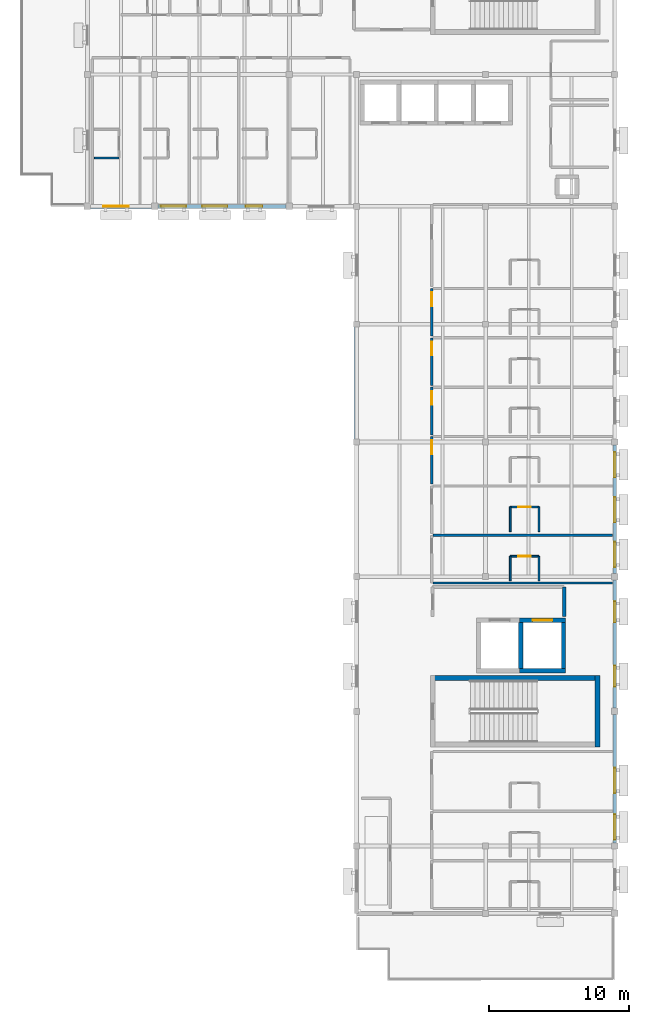
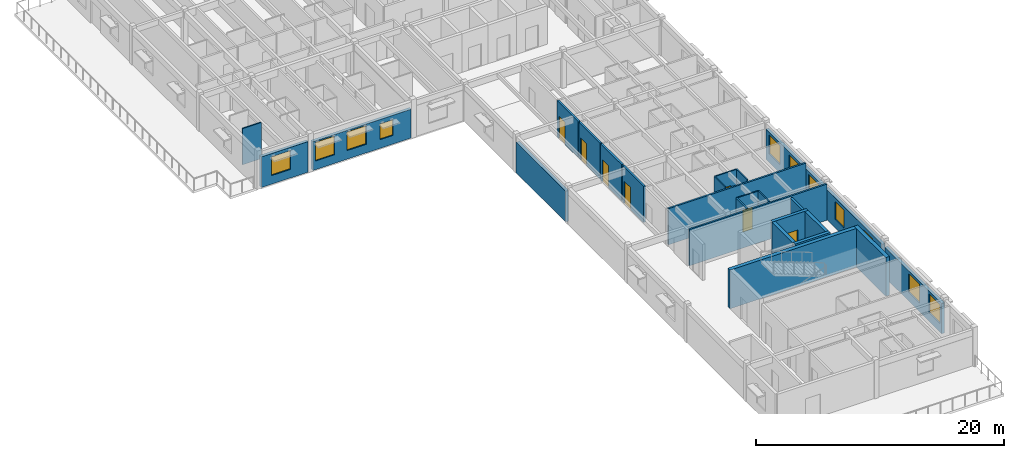
# One storey, part 6 of 15: 26 walls, 11 windows, 7 doors, 18 openings.
"""IFC4 building model written with IfcOpenShell, lengths in metres."""

from ifc_helpers import new_model, si_unit, direction, frame, frame_2d, origin, place, context, subcontext, project, spatial, rectangle, extrude, material, layer, layer_set, type_object, element, fill, save


model = new_model("IFC4")

# Units and contexts
model_context = context("Model", 3, precision=1e-05, world=origin(), true_north=direction((0.0, 1.0)))
body_context = subcontext(model_context, "Body", "Model", "MODEL_VIEW")
ifc_project = project(units=[si_unit("LENGTHUNIT", "METRE"), si_unit("AREAUNIT", "SQUARE_METRE"), si_unit("VOLUMEUNIT", "CUBIC_METRE"), si_unit("PLANEANGLEUNIT", "RADIAN"), si_unit("MASSUNIT", "GRAM", prefix="KILO")], contexts=[model_context])

# Site, building, storey
site_placement = place(None, origin())
site = spatial("IfcSite", under=ifc_project, at=site_placement, CompositionType="ELEMENT")
building_placement = place(site_placement, origin())
building = spatial("IfcBuilding", under=site, at=building_placement, Name="Veldera Park Congress Hotel", CompositionType="ELEMENT")
storey_placement = place(building_placement, frame((0.0, 0.0, 39.0)))
storey = spatial("IfcBuildingStorey", under=building, at=storey_placement, Name="L09", CompositionType="ELEMENT", Elevation=39.0)

# Wall, openings, windows
ifc_material_1 = material(Name="Cross-laminated timber CLT V2M1.1", Category="wood")
ifc_layer_1 = layer(ifc_material_1, 0.280029296875)
ifc_layer_set_1 = layer_set([ifc_layer_1], Name="Cross-laminated timber CLT V2M1.1")
wall_type_1 = type_object("IfcWallType", Name="EW-CLT280", PredefinedType="STANDARD", material=ifc_layer_set_1)
wall_1_placement = place(storey_placement, frame((84.0, -18.376953125, 0.0), z_axis=(0.0, 0.0, 1.0), x_axis=(0.0, 1.0, 0.0)))
wall_1 = element("IfcWall", 1, at=wall_1_placement, inside=storey, type_object=wall_type_1, Name="L09 Exterior Wall EW3-L09-0400", PredefinedType="STANDARD", context=body_context, shape_type="SweptSolid", body=[
    extrude(rectangle(XDim=9.154052734375, YDim=0.280029296875, at=frame_2d((4.5771484375, 0.0))), origin(), (0.0, 0.0, 1.0), 2.97998046875),
])
opening_1_placement = place(wall_1_placement, frame((0.223388671875, 0.0, 0.85009765625)))
opening_1 = element("IfcOpeningElement", 2, at=opening_1_placement, cuts=wall_1, Name="Opening WIN-1800", PredefinedType="OPENING", context=body_context, shape_type="SweptSolid", body=[
    extrude(rectangle(XDim=1.800048828125, YDim=1.85009765625, at=frame_2d((0.89990234375, 0.925048828125))), frame((0.0, 0.152099609375, 0.0), z_axis=(0.0, -1.0, 0.0), x_axis=(1.0, 0.0, 0.0)), (0.0, 0.0, 1.0), 0.303955078125),
])
opening_2_placement = place(wall_1_placement, frame((3.537109375, 0.0, 0.85009765625)))
opening_2 = element("IfcOpeningElement", 3, at=opening_2_placement, cuts=wall_1, Name="Opening WIN-1800", PredefinedType="OPENING", context=body_context, shape_type="SweptSolid", body=[
    extrude(rectangle(XDim=1.800048828125, YDim=1.85009765625, at=frame_2d((0.89990234375, 0.925048828125))), frame((0.0, 0.152099609375, 0.0), z_axis=(0.0, -1.0, 0.0), x_axis=(1.0, 0.0, 0.0)), (0.0, 0.0, 1.0), 0.303955078125),
])
ifc_material_2 = material(Name="Low-E Triple Insulating Glass Unit (SHGC 0.22)", Category="glass")
window_type_1 = type_object("IfcWindowType", Name="WIN-1800", PartitioningType="SINGLE_PANEL", PredefinedType="WINDOW", material=ifc_material_2)
window_1_placement = place(opening_1_placement, origin())
window_1 = element("IfcWindow", 4, at=window_1_placement, inside=storey, type_object=window_type_1, Name="L09 Window WIN-1800 563", OverallHeight=1.85009765625, OverallWidth=1.800048828125, PartitioningType="SINGLE_PANEL", PredefinedType="WINDOW", context=body_context, shape_type="SweptSolid", body=[
    extrude(rectangle(XDim=1.800048828125, YDim=1.85009765625, at=frame_2d((0.89990234375, 0.925048828125))), frame((0.0, 0.030029296875, 0.0), z_axis=(0.0, -1.0, 0.0), x_axis=(1.0, 0.0, 0.0)), (0.0, 0.0, 1.0), 0.06005859375),
])
fill(opening_1, window_1)
window_2_placement = place(opening_2_placement, origin())
window_2 = element("IfcWindow", 5, at=window_2_placement, inside=storey, type_object=window_type_1, Name="L09 Window WIN-1800 564", OverallHeight=1.85009765625, OverallWidth=1.800048828125, PartitioningType="SINGLE_PANEL", PredefinedType="WINDOW", context=body_context, shape_type="SweptSolid", body=[
    extrude(rectangle(XDim=1.800048828125, YDim=1.85009765625, at=frame_2d((0.89990234375, 0.925048828125))), frame((0.0, 0.030029296875, 0.0), z_axis=(0.0, -1.0, 0.0), x_axis=(1.0, 0.0, 0.0)), (0.0, 0.0, 1.0), 0.06005859375),
])
fill(opening_2, window_2)

wall_2_placement = place(storey_placement, frame((84.0, -8.777099609375, 0.0), z_axis=(0.0, 0.0, 1.0), x_axis=(0.0, 1.0, 0.0)))
wall_2 = element("IfcWall", 6, at=wall_2_placement, inside=storey, type_object=wall_type_1, Name="L09 Exterior Wall EW3-L09-0401", PredefinedType="STANDARD", context=body_context, shape_type="SweptSolid", body=[
    extrude(rectangle(XDim=9.154052734375, YDim=0.280029296875, at=frame_2d((4.5771484375, 0.0))), origin(), (0.0, 0.0, 1.0), 2.97998046875),
])
opening_3_placement = place(wall_2_placement, frame((1.53857421875, 0.0, 0.85009765625)))
opening_3 = element("IfcOpeningElement", 7, at=opening_3_placement, cuts=wall_2, Name="Opening WIN-1500", PredefinedType="OPENING", context=body_context, shape_type="SweptSolid", body=[
    extrude(rectangle(XDim=1.5, YDim=1.75, at=frame_2d((0.75, 0.875))), frame((0.0, 0.152099609375, 0.0), z_axis=(0.0, -1.0, 0.0), x_axis=(1.0, 0.0, 0.0)), (0.0, 0.0, 1.0), 0.303955078125),
])
opening_4_placement = place(wall_2_placement, frame((6.115478515625, 0.0, 0.85009765625)))
opening_4 = element("IfcOpeningElement", 8, at=opening_4_placement, cuts=wall_2, Name="Opening WIN-1500", PredefinedType="OPENING", context=body_context, shape_type="SweptSolid", body=[
    extrude(rectangle(XDim=1.5, YDim=1.75, at=frame_2d((0.75, 0.875))), frame((0.0, 0.152099609375, 0.0), z_axis=(0.0, -1.0, 0.0), x_axis=(1.0, 0.0, 0.0)), (0.0, 0.0, 1.0), 0.303955078125),
])
window_type_2 = type_object("IfcWindowType", Name="WIN-1500", PartitioningType="SINGLE_PANEL", PredefinedType="WINDOW", material=ifc_material_2)
window_3_placement = place(opening_3_placement, origin())
window_3 = element("IfcWindow", 9, at=window_3_placement, inside=storey, type_object=window_type_2, Name="L09 Window WIN-1500 310", OverallHeight=1.75, OverallWidth=1.5, PartitioningType="SINGLE_PANEL", PredefinedType="WINDOW", context=body_context, shape_type="SweptSolid", body=[
    extrude(rectangle(XDim=1.5, YDim=1.75, at=frame_2d((0.75, 0.875))), frame((0.0, 0.030029296875, 0.0), z_axis=(0.0, -1.0, 0.0), x_axis=(1.0, 0.0, 0.0)), (0.0, 0.0, 1.0), 0.06005859375),
])
fill(opening_3, window_3)
window_4_placement = place(opening_4_placement, origin())
window_4 = element("IfcWindow", 10, at=window_4_placement, inside=storey, type_object=window_type_2, Name="L09 Window WIN-1500 311", OverallHeight=1.75, OverallWidth=1.5, PartitioningType="SINGLE_PANEL", PredefinedType="WINDOW", context=body_context, shape_type="SweptSolid", body=[
    extrude(rectangle(XDim=1.5, YDim=1.75, at=frame_2d((0.75, 0.875))), frame((0.0, 0.030029296875, 0.0), z_axis=(0.0, -1.0, 0.0), x_axis=(1.0, 0.0, 0.0)), (0.0, 0.0, 1.0), 0.06005859375),
])
fill(opening_4, window_4)

wall_3_placement = place(storey_placement, frame((84.0, 0.822998046875, 0.0), z_axis=(0.0, 0.0, 1.0), x_axis=(0.0, 1.0, 0.0)))
wall_3 = element("IfcWall", 11, at=wall_3_placement, inside=storey, type_object=wall_type_1, Name="L09 Exterior Wall EW3-L09-0402", PredefinedType="STANDARD", context=body_context, shape_type="SweptSolid", body=[
    extrude(rectangle(XDim=9.154052734375, YDim=0.280029296875, at=frame_2d((4.5771484375, 0.0))), origin(), (0.0, 0.0, 1.0), 2.97998046875),
])
opening_5_placement = place(wall_3_placement, frame((0.46337890625, 0.0, 0.85009765625)))
opening_5 = element("IfcOpeningElement", 12, at=opening_5_placement, cuts=wall_3, Name="Opening WIN-1800", PredefinedType="OPENING", context=body_context, shape_type="SweptSolid", body=[
    extrude(rectangle(XDim=1.800048828125, YDim=1.85009765625, at=frame_2d((0.89990234375, 0.925048828125))), frame((0.0, 0.152099609375, 0.0), z_axis=(0.0, -1.0, 0.0), x_axis=(1.0, 0.0, 0.0)), (0.0, 0.0, 1.0), 0.303955078125),
])
opening_6_placement = place(wall_3_placement, frame((3.64697265625, 0.0, 0.85009765625)))
opening_6 = element("IfcOpeningElement", 13, at=opening_6_placement, cuts=wall_3, Name="Opening WIN-1800", PredefinedType="OPENING", context=body_context, shape_type="SweptSolid", body=[
    extrude(rectangle(XDim=1.800048828125, YDim=1.85009765625, at=frame_2d((0.89990234375, 0.925048828125))), frame((0.0, 0.152099609375, 0.0), z_axis=(0.0, -1.0, 0.0), x_axis=(1.0, 0.0, 0.0)), (0.0, 0.0, 1.0), 0.303955078125),
])
opening_7_placement = place(wall_3_placement, frame((6.860595703125, 0.0, 0.85009765625)))
opening_7 = element("IfcOpeningElement", 14, at=opening_7_placement, cuts=wall_3, Name="Opening WIN-1800", PredefinedType="OPENING", context=body_context, shape_type="SweptSolid", body=[
    extrude(rectangle(XDim=1.800048828125, YDim=1.85009765625, at=frame_2d((0.89990234375, 0.925048828125))), frame((0.0, 0.152099609375, 0.0), z_axis=(0.0, -1.0, 0.0), x_axis=(1.0, 0.0, 0.0)), (0.0, 0.0, 1.0), 0.303955078125),
])
window_5_placement = place(opening_5_placement, origin())
window_5 = element("IfcWindow", 15, at=window_5_placement, inside=storey, type_object=window_type_1, Name="L09 Window WIN-1800 565", OverallHeight=1.85009765625, OverallWidth=1.800048828125, PartitioningType="SINGLE_PANEL", PredefinedType="WINDOW", context=body_context, shape_type="SweptSolid", body=[
    extrude(rectangle(XDim=1.800048828125, YDim=1.85009765625, at=frame_2d((0.89990234375, 0.925048828125))), frame((0.0, 0.030029296875, 0.0), z_axis=(0.0, -1.0, 0.0), x_axis=(1.0, 0.0, 0.0)), (0.0, 0.0, 1.0), 0.06005859375),
])
fill(opening_5, window_5)
window_6_placement = place(opening_6_placement, origin())
window_6 = element("IfcWindow", 16, at=window_6_placement, inside=storey, type_object=window_type_1, Name="L09 Window WIN-1800 566", OverallHeight=1.85009765625, OverallWidth=1.800048828125, PartitioningType="SINGLE_PANEL", PredefinedType="WINDOW", context=body_context, shape_type="SweptSolid", body=[
    extrude(rectangle(XDim=1.800048828125, YDim=1.85009765625, at=frame_2d((0.89990234375, 0.925048828125))), frame((0.0, 0.030029296875, 0.0), z_axis=(0.0, -1.0, 0.0), x_axis=(1.0, 0.0, 0.0)), (0.0, 0.0, 1.0), 0.06005859375),
])
fill(opening_6, window_6)
window_7_placement = place(opening_7_placement, origin())
window_7 = element("IfcWindow", 17, at=window_7_placement, inside=storey, type_object=window_type_1, Name="L09 Window WIN-1800 567", OverallHeight=1.85009765625, OverallWidth=1.800048828125, PartitioningType="SINGLE_PANEL", PredefinedType="WINDOW", context=body_context, shape_type="SweptSolid", body=[
    extrude(rectangle(XDim=1.800048828125, YDim=1.85009765625, at=frame_2d((0.89990234375, 0.925048828125))), frame((0.0, 0.030029296875, 0.0), z_axis=(0.0, -1.0, 0.0), x_axis=(1.0, 0.0, 0.0)), (0.0, 0.0, 1.0), 0.06005859375),
])
fill(opening_7, window_7)

# Wall, opening, window
wall_4_placement = place(storey_placement, frame((46.623046875, 27.0, 0.0), z_axis=(0.0, 0.0, 1.0), x_axis=(1.0, 0.0, 0.0)))
wall_4 = element("IfcWall", 18, at=wall_4_placement, inside=storey, type_object=wall_type_1, Name="L09 Exterior Wall EW3-L09-0414", PredefinedType="STANDARD", context=body_context, shape_type="SweptSolid", body=[
    extrude(rectangle(XDim=4.35400390625, YDim=0.280029296875, at=frame_2d((2.177001953125, 0.0))), origin(), (0.0, 0.0, 1.0), 3.02001953125),
])
opening_8_placement = place(wall_4_placement, frame((0.927001953125, 0.0, 0.85009765625)))
opening_8 = element("IfcOpeningElement", 19, at=opening_8_placement, cuts=wall_4, Name="Opening WIN-1800", PredefinedType="OPENING", context=body_context, shape_type="SweptSolid", body=[
    extrude(rectangle(XDim=1.800048828125, YDim=1.85009765625, at=frame_2d((0.89990234375, 0.925048828125))), frame((0.0, 0.152099609375, 0.0), z_axis=(0.0, -1.0, 0.0), x_axis=(1.0, 0.0, 0.0)), (0.0, 0.0, 1.0), 0.303955078125),
])
window_8_placement = place(opening_8_placement, origin())
window_8 = element("IfcWindow", 20, at=window_8_placement, inside=storey, type_object=window_type_1, Name="L09 Window WIN-1800 571", OverallHeight=1.85009765625, OverallWidth=1.800048828125, PartitioningType="SINGLE_PANEL", PredefinedType="WINDOW", context=body_context, shape_type="SweptSolid", body=[
    extrude(rectangle(XDim=1.800048828125, YDim=1.85009765625, at=frame_2d((0.89990234375, 0.925048828125))), frame((0.0, 0.030029296875, 0.0), z_axis=(0.0, -1.0, 0.0), x_axis=(1.0, 0.0, 0.0)), (0.0, 0.0, 1.0), 0.06005859375),
])
fill(opening_8, window_8)

# Wall, openings, windows
wall_5_placement = place(storey_placement, frame((51.423095703125, 27.0, 0.0), z_axis=(0.0, 0.0, 1.0), x_axis=(1.0, 0.0, 0.0)))
wall_5 = element("IfcWall", 21, at=wall_5_placement, inside=storey, type_object=wall_type_1, Name="L09 Exterior Wall EW3-L09-0415", PredefinedType="STANDARD", context=body_context, shape_type="SweptSolid", body=[
    extrude(rectangle(XDim=9.15380859375, YDim=0.280029296875, at=frame_2d((4.576904296875, 0.0))), origin(), (0.0, 0.0, 1.0), 2.840087890625),
])
opening_9_placement = place(wall_5_placement, frame((6.265380859375, 0.0, 0.85009765625)))
opening_9 = element("IfcOpeningElement", 22, at=opening_9_placement, cuts=wall_5, Name="Opening WIN-1200", PredefinedType="OPENING", context=body_context, shape_type="SweptSolid", body=[
    extrude(rectangle(XDim=1.199951171875, YDim=1.550048828125, at=frame_2d((0.60009765625, 0.77490234375))), frame((0.0, 0.152099609375, 0.0), z_axis=(0.0, -1.0, 0.0), x_axis=(1.0, 0.0, 0.0)), (0.0, 0.0, 1.0), 0.303955078125),
])
opening_10_placement = place(wall_5_placement, frame((0.223388671875, 0.0, 0.85009765625)))
opening_10 = element("IfcOpeningElement", 23, at=opening_10_placement, cuts=wall_5, Name="Opening WIN-1800", PredefinedType="OPENING", context=body_context, shape_type="SweptSolid", body=[
    extrude(rectangle(XDim=1.800048828125, YDim=1.85009765625, at=frame_2d((0.89990234375, 0.925048828125))), frame((0.0, 0.152099609375, 0.0), z_axis=(0.0, -1.0, 0.0), x_axis=(1.0, 0.0, 0.0)), (0.0, 0.0, 1.0), 0.303955078125),
])
opening_11_placement = place(wall_5_placement, frame((3.1669921875, 0.0, 0.85009765625)))
opening_11 = element("IfcOpeningElement", 24, at=opening_11_placement, cuts=wall_5, Name="Opening WIN-1800", PredefinedType="OPENING", context=body_context, shape_type="SweptSolid", body=[
    extrude(rectangle(XDim=1.800048828125, YDim=1.85009765625, at=frame_2d((0.89990234375, 0.925048828125))), frame((0.0, 0.152099609375, 0.0), z_axis=(0.0, -1.0, 0.0), x_axis=(1.0, 0.0, 0.0)), (0.0, 0.0, 1.0), 0.303955078125),
])
window_type_3 = type_object("IfcWindowType", Name="WIN-1200", PartitioningType="SINGLE_PANEL", PredefinedType="WINDOW", material=ifc_material_2)
window_9_placement = place(opening_9_placement, origin())
window_9 = element("IfcWindow", 25, at=window_9_placement, inside=storey, type_object=window_type_3, Name="L09 Window WIN-1200 321", OverallHeight=1.550048828125, OverallWidth=1.199951171875, PartitioningType="SINGLE_PANEL", PredefinedType="WINDOW", context=body_context, shape_type="SweptSolid", body=[
    extrude(rectangle(XDim=1.199951171875, YDim=1.550048828125, at=frame_2d((0.60009765625, 0.77490234375))), frame((0.0, 0.030029296875, 0.0), z_axis=(0.0, -1.0, 0.0), x_axis=(1.0, 0.0, 0.0)), (0.0, 0.0, 1.0), 0.06005859375),
])
fill(opening_9, window_9)
window_10_placement = place(opening_10_placement, origin())
window_10 = element("IfcWindow", 26, at=window_10_placement, inside=storey, type_object=window_type_1, Name="L09 Window WIN-1800 572", OverallHeight=1.85009765625, OverallWidth=1.800048828125, PartitioningType="SINGLE_PANEL", PredefinedType="WINDOW", context=body_context, shape_type="SweptSolid", body=[
    extrude(rectangle(XDim=1.800048828125, YDim=1.85009765625, at=frame_2d((0.89990234375, 0.925048828125))), frame((0.0, 0.030029296875, 0.0), z_axis=(0.0, -1.0, 0.0), x_axis=(1.0, 0.0, 0.0)), (0.0, 0.0, 1.0), 0.06005859375),
])
fill(opening_10, window_10)
window_11_placement = place(opening_11_placement, origin())
window_11 = element("IfcWindow", 27, at=window_11_placement, inside=storey, type_object=window_type_1, Name="L09 Window WIN-1800 573", OverallHeight=1.85009765625, OverallWidth=1.800048828125, PartitioningType="SINGLE_PANEL", PredefinedType="WINDOW", context=body_context, shape_type="SweptSolid", body=[
    extrude(rectangle(XDim=1.800048828125, YDim=1.85009765625, at=frame_2d((0.89990234375, 0.925048828125))), frame((0.0, 0.030029296875, 0.0), z_axis=(0.0, -1.0, 0.0), x_axis=(1.0, 0.0, 0.0)), (0.0, 0.0, 1.0), 0.06005859375),
])
fill(opening_11, window_11)

# Walls
wall_6_placement = place(storey_placement, frame((65.60009765625, 18.39208984375, 0.0), z_axis=(0.0, 0.0, 1.0), x_axis=(0.0, -1.0, 0.0)))
element("IfcWall", 28, at=wall_6_placement, inside=storey, type_object=wall_type_1, Name="L09 Exterior Wall EW3-L09-0418", PredefinedType="STANDARD", context=body_context, shape_type="SweptSolid", body=[
    extrude(rectangle(XDim=7.984130859375, YDim=0.280029296875, at=frame_2d((3.9921875, 0.0))), origin(), (0.0, 0.0, 1.0), 3.02001953125),
])
ifc_material_3 = material(Name="Fire-Rated Gypsum Board on Cold-Formed Steel Studs", Category="steel")
ifc_layer_2 = layer(ifc_material_3, 0.1201171875)
ifc_layer_set_2 = layer_set([ifc_layer_2], Name="Fire-Rated Gypsum Board on Cold-Formed Steel Studs")
wall_type_2 = type_object("IfcWallType", Name="IW-BATH120", PredefinedType="PARTITIONING", material=ifc_layer_set_2)
for number, where, z_axis, x_axis, name in (
    (29, (76.550048828125, 0.300048828125, 0.0), (0.0, 0.0, 1.0), (0.0, 1.0, 0.0), "L09 Partition Wall IW3-L09-01601"),
    (30, (78.60009765625, 0.300048828125, 0.0), (0.0, 0.0, 1.0), (0.0, 1.0, 0.0), "L09 Partition Wall IW3-L09-01602"),
):
    element("IfcWall", number, at=place(storey_placement, frame(where, z_axis=z_axis, x_axis=x_axis)), inside=storey, type_object=wall_type_2, Name=name, PredefinedType="PARTITIONING", context=body_context, shape_type="SweptSolid", body=[
        extrude(rectangle(XDim=1.75, YDim=0.1201171875, at=frame_2d((0.875, 0.0))), origin(), (0.0, 0.0, 1.0), 3.56494140625),
    ])

# Wall, opening, door
wall_7_placement = place(storey_placement, frame((76.550048828125, 2.050048828125, 0.0), z_axis=(0.0, 0.0, 1.0), x_axis=(1.0, 0.0, 0.0)))
wall_7 = element("IfcWall", 31, at=wall_7_placement, inside=storey, type_object=wall_type_2, Name="L09 Partition Wall IW3-L09-01603", PredefinedType="PARTITIONING", context=body_context, shape_type="SweptSolid", body=[
    extrude(rectangle(XDim=2.050048828125, YDim=0.1201171875, at=frame_2d((1.02490234375, 0.0))), origin(), (0.0, 0.0, 1.0), 3.56494140625),
])
opening_12_placement = place(wall_7_placement, frame((0.574951171875, 0.0, 0.0)))
opening_12 = element("IfcOpeningElement", 32, at=opening_12_placement, cuts=wall_7, Name="Opening ID-BATH090", PredefinedType="OPENING", context=body_context, shape_type="SweptSolid", body=[
    extrude(rectangle(XDim=0.89990234375, YDim=2.14990234375, at=frame_2d((0.449951171875, 1.074951171875))), frame((0.0, 0.072021484375, 0.0), z_axis=(0.0, -1.0, 0.0), x_axis=(1.0, 0.0, 0.0)), (0.0, 0.0, 1.0), 0.14404296875),
])
ifc_material_4 = material(Name="Solid Core White Oak Architectural Door", Category="wood")
door_type_1 = type_object("IfcDoorType", Name="ID-BATH090", OperationType="NOTDEFINED", PredefinedType="DOOR", material=ifc_material_4)
door_1_placement = place(opening_12_placement, origin())
door_1 = element("IfcDoor", 33, at=door_1_placement, inside=storey, type_object=door_type_1, Name="L09 En-suite 260 Door ID3-L09-0659 (DR3-ID3-L09-0659)", OperationType="SINGLE_SWING_LEFT", OverallHeight=2.14990234375, OverallWidth=0.89990234375, PredefinedType="DOOR", context=body_context, shape_type="SweptSolid", body=[
    extrude(rectangle(XDim=0.89990234375, YDim=2.14990234375, at=frame_2d((0.449951171875, 1.074951171875))), frame((0.0, 0.02490234375, 0.0), z_axis=(0.0, -1.0, 0.0), x_axis=(1.0, 0.0, 0.0)), (0.0, 0.0, 1.0), 0.050048828125),
])
fill(opening_12, door_1)

# Walls
for number, where, z_axis, x_axis, name in (
    (34, (76.550048828125, 3.820068359375, 0.0), (0.0, 0.0, 1.0), (0.0, 1.0, 0.0), "L09 Partition Wall IW3-L09-01606"),
    (35, (78.60009765625, 3.820068359375, 0.0), (0.0, 0.0, 1.0), (0.0, 1.0, 0.0), "L09 Partition Wall IW3-L09-01607"),
):
    element("IfcWall", number, at=place(storey_placement, frame(where, z_axis=z_axis, x_axis=x_axis)), inside=storey, type_object=wall_type_2, Name=name, PredefinedType="PARTITIONING", context=body_context, shape_type="SweptSolid", body=[
        extrude(rectangle(XDim=1.75, YDim=0.1201171875, at=frame_2d((0.875, 0.0))), origin(), (0.0, 0.0, 1.0), 3.56494140625),
    ])

# Wall, opening, door
wall_8_placement = place(storey_placement, frame((76.550048828125, 5.570068359375, 0.0), z_axis=(0.0, 0.0, 1.0), x_axis=(1.0, 0.0, 0.0)))
wall_8 = element("IfcWall", 36, at=wall_8_placement, inside=storey, type_object=wall_type_2, Name="L09 Partition Wall IW3-L09-01608", PredefinedType="PARTITIONING", context=body_context, shape_type="SweptSolid", body=[
    extrude(rectangle(XDim=2.050048828125, YDim=0.1201171875, at=frame_2d((1.02490234375, 0.0))), origin(), (0.0, 0.0, 1.0), 3.56494140625),
])
opening_13_placement = place(wall_8_placement, frame((0.574951171875, 0.0, 0.0)))
opening_13 = element("IfcOpeningElement", 37, at=opening_13_placement, cuts=wall_8, Name="Opening ID-BATH090", PredefinedType="OPENING", context=body_context, shape_type="SweptSolid", body=[
    extrude(rectangle(XDim=0.89990234375, YDim=2.14990234375, at=frame_2d((0.449951171875, 1.074951171875))), frame((0.0, 0.072021484375, 0.0), z_axis=(0.0, -1.0, 0.0), x_axis=(1.0, 0.0, 0.0)), (0.0, 0.0, 1.0), 0.14404296875),
])
door_2_placement = place(opening_13_placement, origin())
door_2 = element("IfcDoor", 38, at=door_2_placement, inside=storey, type_object=door_type_1, Name="L09 En-suite 261 Door ID3-L09-0661 (DR3-ID3-L09-0661)", OperationType="SINGLE_SWING_LEFT", OverallHeight=2.14990234375, OverallWidth=0.89990234375, PredefinedType="DOOR", context=body_context, shape_type="SweptSolid", body=[
    extrude(rectangle(XDim=0.89990234375, YDim=2.14990234375, at=frame_2d((0.449951171875, 1.074951171875))), frame((0.0, 0.02490234375, 0.0), z_axis=(0.0, -1.0, 0.0), x_axis=(1.0, 0.0, 0.0)), (0.0, 0.0, 1.0), 0.050048828125),
])
fill(opening_13, door_2)

# Wall
wall_9_placement = place(storey_placement, frame((46.89990234375, 30.449951171875, 0.0), z_axis=(0.0, 0.0, 1.0), x_axis=(1.0, 0.0, 0.0)))
element("IfcWall", 39, at=wall_9_placement, inside=storey, type_object=wall_type_2, Name="L09 Partition Wall IW3-L09-01639", PredefinedType="PARTITIONING", context=body_context, shape_type="SweptSolid", body=[
    extrude(rectangle(XDim=1.75, YDim=0.1201171875, at=frame_2d((0.875, 0.0))), origin(), (0.0, 0.0, 1.0), 3.56494140625),
])

# Wall, opening, door
ifc_layer_3 = layer(ifc_material_3, 0.179931640625)
ifc_layer_set_3 = layer_set([ifc_layer_3], Name="Fire-Rated Gypsum Board on Cold-Formed Steel Studs")
wall_type_3 = type_object("IfcWallType", Name="IW-CORR180", PredefinedType="PARTITIONING", material=ifc_layer_set_3)
wall_10_placement = place(storey_placement, frame((70.949951171875, 10.590087890625, 0.0), z_axis=(0.0, 0.0, 1.0), x_axis=(0.0, -1.0, 0.0)))
wall_10 = element("IfcWall", 40, at=wall_10_placement, inside=storey, type_object=wall_type_3, Name="L09 Corridor Wall IW3-L09-01609", PredefinedType="PARTITIONING", context=body_context, shape_type="SweptSolid", body=[
    extrude(rectangle(XDim=3.400146484375, YDim=0.179931640625, at=frame_2d((1.7001953125, 0.0))), origin(), (0.0, 0.0, 1.0), 3.56494140625),
])
opening_14_placement = place(wall_10_placement, frame((0.280029296875, 0.0, 0.0)))
opening_14 = element("IfcOpeningElement", 41, at=opening_14_placement, cuts=wall_10, Name="Opening ID-UNIT098", PredefinedType="OPENING", context=body_context, shape_type="SweptSolid", body=[
    extrude(rectangle(XDim=0.97998046875, YDim=2.179931640625, at=frame_2d((0.489990234375, 1.08984375))), frame((0.0, 0.10205078125, 0.0), z_axis=(0.0, -1.0, 0.0), x_axis=(1.0, 0.0, 0.0)), (0.0, 0.0, 1.0), 0.203857421875),
])
door_type_2 = type_object("IfcDoorType", Name="ID-UNIT098", OperationType="NOTDEFINED", PredefinedType="DOOR", material=ifc_material_4)
door_3_placement = place(opening_14_placement, origin())
door_3 = element("IfcDoor", 42, at=door_3_placement, inside=storey, type_object=door_type_2, Name="L09 Guestroom 262 Entry Door (DR3-UD3-L09-262)", OperationType="SINGLE_SWING_RIGHT", OverallHeight=2.179931640625, OverallWidth=0.97998046875, PredefinedType="DOOR", context=body_context, shape_type="SweptSolid", body=[
    extrude(rectangle(XDim=0.97998046875, YDim=2.179931640625, at=frame_2d((0.489990234375, 1.08984375))), frame((0.0, 0.02490234375, 0.0), z_axis=(0.0, -1.0, 0.0), x_axis=(1.0, 0.0, 0.0)), (0.0, 0.0, 1.0), 0.050048828125),
])
fill(opening_14, door_3)

wall_11_placement = place(storey_placement, frame((70.949951171875, 14.110107421875, 0.0), z_axis=(0.0, 0.0, 1.0), x_axis=(0.0, -1.0, 0.0)))
wall_11 = element("IfcWall", 43, at=wall_11_placement, inside=storey, type_object=wall_type_3, Name="L09 Corridor Wall IW3-L09-01614", PredefinedType="PARTITIONING", context=body_context, shape_type="SweptSolid", body=[
    extrude(rectangle(XDim=3.400146484375, YDim=0.179931640625, at=frame_2d((1.7001953125, 0.0))), origin(), (0.0, 0.0, 1.0), 3.56494140625),
])
opening_15_placement = place(wall_11_placement, frame((0.280029296875, 0.0, 0.0)))
opening_15 = element("IfcOpeningElement", 44, at=opening_15_placement, cuts=wall_11, Name="Opening ID-UNIT098", PredefinedType="OPENING", context=body_context, shape_type="SweptSolid", body=[
    extrude(rectangle(XDim=0.97998046875, YDim=2.179931640625, at=frame_2d((0.489990234375, 1.08984375))), frame((0.0, 0.10205078125, 0.0), z_axis=(0.0, -1.0, 0.0), x_axis=(1.0, 0.0, 0.0)), (0.0, 0.0, 1.0), 0.203857421875),
])
door_4_placement = place(opening_15_placement, origin())
door_4 = element("IfcDoor", 45, at=door_4_placement, inside=storey, type_object=door_type_2, Name="L09 Guestroom 263 Entry Door (DR3-UD3-L09-263)", OperationType="SINGLE_SWING_RIGHT", OverallHeight=2.179931640625, OverallWidth=0.97998046875, PredefinedType="DOOR", context=body_context, shape_type="SweptSolid", body=[
    extrude(rectangle(XDim=0.97998046875, YDim=2.179931640625, at=frame_2d((0.489990234375, 1.08984375))), frame((0.0, 0.02490234375, 0.0), z_axis=(0.0, -1.0, 0.0), x_axis=(1.0, 0.0, 0.0)), (0.0, 0.0, 1.0), 0.050048828125),
])
fill(opening_15, door_4)

wall_12_placement = place(storey_placement, frame((70.949951171875, 17.6298828125, 0.0), z_axis=(0.0, 0.0, 1.0), x_axis=(0.0, -1.0, 0.0)))
wall_12 = element("IfcWall", 46, at=wall_12_placement, inside=storey, type_object=wall_type_3, Name="L09 Corridor Wall IW3-L09-01619", PredefinedType="PARTITIONING", context=body_context, shape_type="SweptSolid", body=[
    extrude(rectangle(XDim=3.39990234375, YDim=0.179931640625, at=frame_2d((1.699951171875, 0.0))), origin(), (0.0, 0.0, 1.0), 3.56494140625),
])
opening_16_placement = place(wall_12_placement, frame((0.280029296875, 0.0, 0.0)))
opening_16 = element("IfcOpeningElement", 47, at=opening_16_placement, cuts=wall_12, Name="Opening ID-UNIT098", PredefinedType="OPENING", context=body_context, shape_type="SweptSolid", body=[
    extrude(rectangle(XDim=0.97998046875, YDim=2.179931640625, at=frame_2d((0.489990234375, 1.08984375))), frame((0.0, 0.10205078125, 0.0), z_axis=(0.0, -1.0, 0.0), x_axis=(1.0, 0.0, 0.0)), (0.0, 0.0, 1.0), 0.203857421875),
])
door_5_placement = place(opening_16_placement, origin())
door_5 = element("IfcDoor", 48, at=door_5_placement, inside=storey, type_object=door_type_2, Name="L09 Guestroom 264 Entry Door (DR3-UD3-L09-264)", OperationType="SINGLE_SWING_RIGHT", OverallHeight=2.179931640625, OverallWidth=0.97998046875, PredefinedType="DOOR", context=body_context, shape_type="SweptSolid", body=[
    extrude(rectangle(XDim=0.97998046875, YDim=2.179931640625, at=frame_2d((0.489990234375, 1.08984375))), frame((0.0, 0.02490234375, 0.0), z_axis=(0.0, -1.0, 0.0), x_axis=(1.0, 0.0, 0.0)), (0.0, 0.0, 1.0), 0.050048828125),
])
fill(opening_16, door_5)

wall_13_placement = place(storey_placement, frame((70.949951171875, 21.14990234375, 0.0), z_axis=(0.0, 0.0, 1.0), x_axis=(0.0, -1.0, 0.0)))
wall_13 = element("IfcWall", 49, at=wall_13_placement, inside=storey, type_object=wall_type_3, Name="L09 Corridor Wall IW3-L09-01624", PredefinedType="PARTITIONING", context=body_context, shape_type="SweptSolid", body=[
    extrude(rectangle(XDim=3.39990234375, YDim=0.179931640625, at=frame_2d((1.699951171875, 0.0))), origin(), (0.0, 0.0, 1.0), 3.56494140625),
])
opening_17_placement = place(wall_13_placement, frame((0.280029296875, 0.0, 0.0)))
opening_17 = element("IfcOpeningElement", 50, at=opening_17_placement, cuts=wall_13, Name="Opening ID-UNIT098", PredefinedType="OPENING", context=body_context, shape_type="SweptSolid", body=[
    extrude(rectangle(XDim=0.97998046875, YDim=2.179931640625, at=frame_2d((0.489990234375, 1.08984375))), frame((0.0, 0.10205078125, 0.0), z_axis=(0.0, -1.0, 0.0), x_axis=(1.0, 0.0, 0.0)), (0.0, 0.0, 1.0), 0.203857421875),
])
door_6_placement = place(opening_17_placement, origin())
door_6 = element("IfcDoor", 51, at=door_6_placement, inside=storey, type_object=door_type_2, Name="L09 Guestroom 265 Entry Door (DR3-UD3-L09-265)", OperationType="SINGLE_SWING_RIGHT", OverallHeight=2.179931640625, OverallWidth=0.97998046875, PredefinedType="DOOR", context=body_context, shape_type="SweptSolid", body=[
    extrude(rectangle(XDim=0.97998046875, YDim=2.179931640625, at=frame_2d((0.489990234375, 1.08984375))), frame((0.0, 0.02490234375, 0.0), z_axis=(0.0, -1.0, 0.0), x_axis=(1.0, 0.0, 0.0)), (0.0, 0.0, 1.0), 0.050048828125),
])
fill(opening_17, door_6)

# Walls
ifc_material_5 = material(Name="Concrete f'c 40 MPa (5,800 psi)", Category="concrete")
ifc_layer_4 = layer(ifc_material_5, 0.219970703125)
ifc_layer_set_4 = layer_set([ifc_layer_4], Name="Concrete f'c 40 MPa (5,800 psi)")
wall_type_4 = type_object("IfcWallType", Name="IW-FIRE220", PredefinedType="STANDARD", material=ifc_layer_set_4)
wall_14_placement = place(storey_placement, frame((80.39990234375, -2.25, 0.0), z_axis=(0.0, 0.0, 1.0), x_axis=(0.0, 1.0, 0.0)))
element("IfcWall", 52, at=wall_14_placement, inside=storey, type_object=wall_type_4, Name="L09 Partition Wall IW3-L09-00321", PredefinedType="STANDARD", context=body_context, shape_type="SweptSolid", body=[
    extrude(rectangle(XDim=2.10009765625, YDim=0.219970703125, at=frame_2d((1.050048828125, 0.0))), origin(), (0.0, 0.0, 1.0), 3.56494140625),
])
ifc_layer_5 = layer(ifc_material_1, 0.159912109375)
ifc_layer_set_5 = layer_set([ifc_layer_5], Name="Cross-laminated timber CLT V2M1.1")
wall_type_5 = type_object("IfcWallType", Name="IW-UNIT160", PredefinedType="PARTITIONING", material=ifc_layer_set_5)
for number, where, z_axis, x_axis, name in (
    (53, (71.050048828125, 0.14990234375, 0.0), (0.0, 0.0, 1.0), (1.0, 0.0, 0.0), "L09 Partition Wall IW3-L09-01599"),
    (54, (71.050048828125, 3.550048828125, 0.0), (0.0, 0.0, 1.0), (1.0, 0.0, 0.0), "L09 Partition Wall IW3-L09-01600"),
):
    element("IfcWall", number, at=place(storey_placement, frame(where, z_axis=z_axis, x_axis=x_axis)), inside=storey, type_object=wall_type_5, Name=name, PredefinedType="PARTITIONING", context=body_context, shape_type="SweptSolid", body=[
        extrude(rectangle(XDim=12.7900390625, YDim=0.159912109375, at=frame_2d((6.39501953125, 0.0))), origin(), (0.0, 0.0, 1.0), 3.56494140625),
    ])
ifc_layer_6 = layer(ifc_material_5, 0.35009765625)
ifc_layer_set_6 = layer_set([ifc_layer_6], Name="Concrete f'c 40 MPa (5,800 psi)")
wall_type_6 = type_object("IfcWallType", Name="SW-CORE350", PredefinedType="SHEAR", material=ifc_layer_set_6)
wall_15_placement = place(storey_placement, frame((82.77490234375, -11.550048828125, 0.0), z_axis=(0.0, 0.0, 1.0), x_axis=(0.0, 1.0, 0.0)))
element("IfcWall", 55, at=wall_15_placement, inside=storey, type_object=wall_type_6, Name="Stair ST2 Core Wall L09-E", PredefinedType="SHEAR", context=body_context, shape_type="SweptSolid", body=[
    extrude(rectangle(XDim=5.10009765625, YDim=0.35009765625, at=frame_2d((2.550048828125, 0.0))), origin(), (0.0, 0.0, 1.0), 3.800048828125),
])
wall_16_placement = place(storey_placement, frame((82.949951171875, -6.625, 0.0), z_axis=(0.0, 0.0, 1.0), x_axis=(-1.0, 0.0, 0.0)))
element("IfcWall", 56, at=wall_16_placement, inside=storey, type_object=wall_type_6, Name="Stair ST2 Core Wall L09-N", PredefinedType="SHEAR", context=body_context, shape_type="SweptSolid", body=[
    extrude(rectangle(XDim=12.099853515625, YDim=0.35009765625, at=frame_2d((6.0498046875, 0.0))), origin(), (0.0, 0.0, 1.0), 3.800048828125),
])
ifc_layer_7 = layer(ifc_material_5, 0.300048828125)
ifc_layer_set_7 = layer_set([ifc_layer_7], Name="Concrete f'c 40 MPa (5,800 psi)")
wall_type_7 = type_object("IfcWallType", Name="SW-SHFT300", PredefinedType="SHEAR", material=ifc_layer_set_7)
for number, where, z_axis, x_axis, name in (
    (57, (77.300048828125, -5.949951171875, 0.0), (0.0, 0.0, 1.0), (0.0, 1.0, 0.0), "Lift SL-01 Shaft Wall L09-E"),
    (58, (77.199951171875, -6.10009765625, 0.0), (0.0, 0.0, 1.0), (1.0, 0.0, 0.0), "Lift SL-02 Shaft Wall L09-S"),
):
    element("IfcWall", number, at=place(storey_placement, frame(where, z_axis=z_axis, x_axis=x_axis)), inside=storey, type_object=wall_type_7, Name=name, PredefinedType="SHEAR", context=body_context, shape_type="SweptSolid", body=[
        extrude(rectangle(XDim=3.300048828125, YDim=0.300048828125, at=frame_2d((1.64990234375, 0.0))), origin(), (0.0, 0.0, 1.0), 3.800048828125),
    ])

# Wall, opening, door
wall_17_placement = place(storey_placement, frame((80.5, -2.5, 0.0), z_axis=(0.0, 0.0, 1.0), x_axis=(-1.0, 0.0, 0.0)))
wall_17 = element("IfcWall", 59, at=wall_17_placement, inside=storey, type_object=wall_type_7, Name="Lift SL-02 Shaft Wall L09-N", PredefinedType="SHEAR", context=body_context, shape_type="SweptSolid", body=[
    extrude(rectangle(XDim=3.300048828125, YDim=0.300048828125, at=frame_2d((1.64990234375, 0.0))), origin(), (0.0, 0.0, 1.0), 3.800048828125),
])
opening_18_placement = place(wall_17_placement, frame((0.949951171875, 0.0, 0.0)))
opening_18 = element("IfcOpeningElement", 60, at=opening_18_placement, cuts=wall_17, Name="Opening LD-140", PredefinedType="OPENING", context=body_context, shape_type="SweptSolid", body=[
    extrude(rectangle(XDim=1.39990234375, YDim=2.199951171875, at=frame_2d((0.699951171875, 1.10009765625))), frame((0.0, 0.162109375, 0.0), z_axis=(0.0, -1.0, 0.0), x_axis=(1.0, 0.0, 0.0)), (0.0, 0.0, 1.0), 0.323974609375),
])
ifc_material_6 = material(Name="Hollow Metal Fire-Rated Steel Door", Category="steel")
door_type_3 = type_object("IfcDoorType", Name="LD-140", OperationType="DOUBLE_DOOR_SLIDING", PredefinedType="DOOR", material=ifc_material_6)
door_7_placement = place(opening_18_placement, origin())
door_7 = element("IfcDoor", 61, at=door_7_placement, inside=storey, type_object=door_type_3, Name="L09 Lift SL-02 Landing Door (DR3-LD-SL-02-L09)", OperationType="DOUBLE_DOOR_SLIDING", OverallHeight=2.199951171875, OverallWidth=1.39990234375, PredefinedType="DOOR", context=body_context, shape_type="SweptSolid", body=[
    extrude(rectangle(XDim=1.39990234375, YDim=2.199951171875, at=frame_2d((0.699951171875, 1.10009765625))), frame((0.0, 0.02490234375, 0.0), z_axis=(0.0, -1.0, 0.0), x_axis=(1.0, 0.0, 0.0)), (0.0, 0.0, 1.0), 0.050048828125),
])
fill(opening_18, door_7)

# Wall
wall_18_placement = place(storey_placement, frame((80.35009765625, -5.949951171875, 0.0), z_axis=(0.0, 0.0, 1.0), x_axis=(0.0, 1.0, 0.0)))
element("IfcWall", 62, at=wall_18_placement, inside=storey, type_object=wall_type_7, Name="Lift SL-02 Shaft Wall L09-E", PredefinedType="SHEAR", context=body_context, shape_type="SweptSolid", body=[
    extrude(rectangle(XDim=3.300048828125, YDim=0.300048828125, at=frame_2d((1.64990234375, 0.0))), origin(), (0.0, 0.0, 1.0), 3.800048828125),
])

save(model, "model.ifc")
